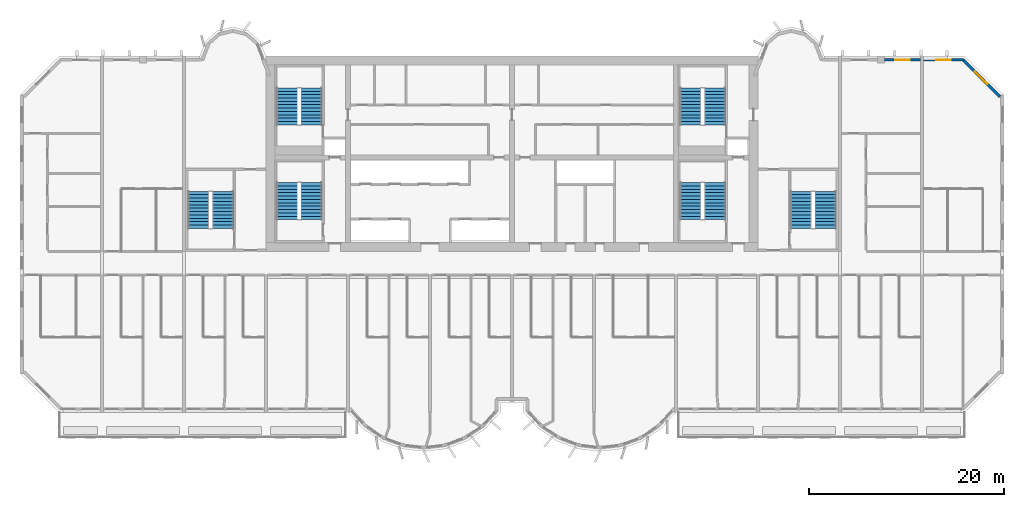
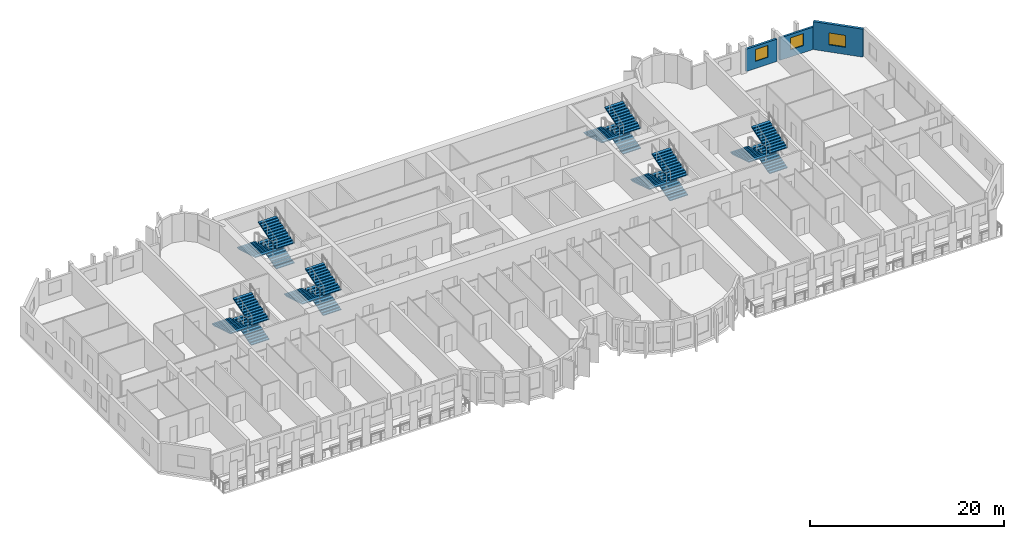
# One storey, part 11 of 14: 18 stair flights, 3 walls, 3 windows, 3 openings, 6 elements without a shape of their own.
"""IFC4 building model written with IfcOpenShell, lengths in metres."""

from ifc_helpers import new_model, si_unit, direction, frame, frame_2d, origin, place, context, subcontext, project, spatial, polyline, rectangle, outline, extrude, source, transform, mapped, material, layer, layer_set, type_object, element, fill, aggregate, save


model = new_model("IFC4")

# Units and contexts
model_context = context("Model", 3, precision=1e-05, world=origin(), true_north=direction((0.0, 1.0)))
body_context = subcontext(model_context, "Body", "Model", "MODEL_VIEW")
ifc_project = project(units=[si_unit("LENGTHUNIT", "METRE"), si_unit("AREAUNIT", "SQUARE_METRE"), si_unit("VOLUMEUNIT", "CUBIC_METRE"), si_unit("PLANEANGLEUNIT", "RADIAN"), si_unit("MASSUNIT", "GRAM", prefix="KILO")], contexts=[model_context])

# Site, building, storey
site_placement = place(None, origin())
site = spatial("IfcSite", under=ifc_project, at=site_placement, CompositionType="ELEMENT")
building_placement = place(site_placement, origin())
building = spatial("IfcBuilding", under=site, at=building_placement, Name="Vanashikhar Sky Hotel", CompositionType="ELEMENT")
storey_placement = place(building_placement, frame((0.0, 0.0, 129.39990234375)))
storey = spatial("IfcBuildingStorey", under=building, at=storey_placement, Name="L31", CompositionType="ELEMENT", Elevation=129.39990234375)

# Wall, opening, window
ifc_material_1 = material(Name="Concrete M50", Category="concrete")
ifc_layer_1 = layer(ifc_material_1, 0.300048828125)
ifc_layer_set_1 = layer_set([ifc_layer_1], Name="Lobe wall 300")
wall_type_1 = type_object("IfcWallType", Name="Lobe wall 300", PredefinedType="SOLIDWALL", material=ifc_layer_set_1)
shared_shape_1 = source(origin(), body_context, "Body", "SweptSolid", [
    extrude(rectangle(XDim=5.32568359375, YDim=0.300048828125, at=frame_2d((2.662841796875, 0.0))), origin(), (0.0, 0.0, 1.0), 3.52001953125),
])
wall_1_placement = place(storey_placement, frame((100.39990234375, 37.834228515625, 0.0), z_axis=(0.0, 0.0, 1.0), x_axis=(-0.707083859269, 0.707129702361, 0.0)))
wall_1 = element("IfcWall", 1, at=wall_1_placement, inside=storey, type_object=wall_type_1, Name="Corner wall", PredefinedType="SOLIDWALL", context=body_context, shape_type="MappedRepresentation", body=[
    mapped(shared_shape_1, transform((0.0, 0.0, 0.0), scale=1.0)),
])
shared_shape_2 = source(origin(), body_context, "Body", "SweptSolid", [
    extrude(rectangle(XDim=1.800048828125, YDim=1.5, at=frame_2d((0.89990234375, 0.75))), frame((0.0, 0.16015625, 0.0), z_axis=(0.0, -1.0, 0.0), x_axis=(1.0, 0.0, 0.0)), (0.0, 0.0, 1.0), 0.320068359375),
])
opening_1_placement = place(wall_1_placement, frame((1.853759765625, 0.0, 0.89990234375)))
opening_1 = element("IfcOpeningElement", 2, at=opening_1_placement, cuts=wall_1, Name="Opening WN-4", PredefinedType="OPENING", context=body_context, shape_type="MappedRepresentation", body=[
    mapped(shared_shape_2, transform((0.0, 0.0, 0.0), scale=1.0)),
])
ifc_material_2 = material(Name="Glass", Category="glass")
window_type_1 = type_object("IfcWindowType", Name="Corner window 1800 x 1500", PartitioningType="SINGLE_PANEL", PredefinedType="WINDOW", material=ifc_material_2)
shared_shape_3 = source(origin(), body_context, "Body", "SweptSolid", [
    extrude(rectangle(XDim=1.800048828125, YDim=1.5, at=frame_2d((0.89990234375, 0.75))), frame((0.0, 0.030029296875, 0.0), z_axis=(0.0, -1.0, 0.0), x_axis=(1.0, 0.0, 0.0)), (0.0, 0.0, 1.0), 0.06005859375),
])
window_1_placement = place(opening_1_placement, origin())
window_1 = element("IfcWindow", 3, at=window_1_placement, inside=storey, type_object=window_type_1, Name="Window WN-4", OverallHeight=1.5, OverallWidth=1.800048828125, PartitioningType="SINGLE_PANEL", PredefinedType="WINDOW", context=body_context, shape_type="MappedRepresentation", body=[
    mapped(shared_shape_3, transform((0.0, 0.0, 0.0), scale=1.0)),
])
fill(opening_1, window_1)

ifc_layer_2 = layer(ifc_material_1, 0.25)
ifc_layer_set_2 = layer_set([ifc_layer_2], Name="Rear and end board-marked wall 250")
wall_type_2 = type_object("IfcWallType", Name="Rear and end board-marked wall 250", PredefinedType="SOLIDWALL", material=ifc_layer_set_2)
shared_shape_4 = source(origin(), body_context, "Body", "SweptSolid", [
    extrude(rectangle(XDim=4.06982421875, YDim=0.25, at=frame_2d((2.034912109375, 0.0))), origin(), (0.0, 0.0, 1.0), 2.820068359375),
])
wall_2_placement = place(storey_placement, frame((96.644775390625, 41.625, 0.0), z_axis=(0.0, 0.0, 1.0), x_axis=(-1.0, 0.0, 0.0)))
wall_2 = element("IfcWall", 4, at=wall_2_placement, inside=storey, type_object=wall_type_2, Name="Rear board-marked wall", PredefinedType="SOLIDWALL", context=body_context, shape_type="MappedRepresentation", body=[
    mapped(shared_shape_4, transform((0.0, 0.0, 0.0), scale=1.0)),
])
shared_shape_5 = source(origin(), body_context, "Body", "SweptSolid", [
    extrude(rectangle(XDim=1.5, YDim=1.5, at=frame_2d((0.75, 0.75))), frame((0.0, 0.135009765625, 0.0), z_axis=(0.0, -1.0, 0.0), x_axis=(1.0, 0.0, 0.0)), (0.0, 0.0, 1.0), 0.27001953125),
])
opening_2_placement = place(wall_2_placement, frame((1.284912109375, 0.0, 0.89990234375)))
opening_2 = element("IfcOpeningElement", 5, at=opening_2_placement, cuts=wall_2, Name="Opening WN-1", PredefinedType="OPENING", context=body_context, shape_type="MappedRepresentation", body=[
    mapped(shared_shape_5, transform((0.0, 0.0, 0.0), scale=1.0)),
])
window_type_2 = type_object("IfcWindowType", Name="Window 1500 x 1500", PartitioningType="SINGLE_PANEL", PredefinedType="WINDOW", material=ifc_material_2)
shared_shape_6 = source(origin(), body_context, "Body", "SweptSolid", [
    extrude(rectangle(XDim=1.5, YDim=1.5, at=frame_2d((0.75, 0.75))), frame((0.0, 0.030029296875, 0.0), z_axis=(0.0, -1.0, 0.0), x_axis=(1.0, 0.0, 0.0)), (0.0, 0.0, 1.0), 0.06005859375),
])
window_2_placement = place(opening_2_placement, origin())
window_2 = element("IfcWindow", 6, at=window_2_placement, inside=storey, type_object=window_type_2, Name="Window WN-1", OverallHeight=1.5, OverallWidth=1.5, PartitioningType="SINGLE_PANEL", PredefinedType="WINDOW", context=body_context, shape_type="MappedRepresentation", body=[
    mapped(shared_shape_6, transform((0.0, 0.0, 0.0), scale=1.0)),
])
fill(opening_2, window_2)

shared_shape_7 = source(origin(), body_context, "Body", "SweptSolid", [
    extrude(rectangle(XDim=3.675048828125, YDim=0.25, at=frame_2d((1.83740234375, 0.0))), origin(), (0.0, 0.0, 1.0), 2.820068359375),
])
wall_3_placement = place(storey_placement, frame((92.22509765625, 41.625, 0.0), z_axis=(0.0, 0.0, 1.0), x_axis=(-1.0, 0.0, 0.0)))
wall_3 = element("IfcWall", 7, at=wall_3_placement, inside=storey, type_object=wall_type_2, Name="Rear board-marked wall", PredefinedType="SOLIDWALL", context=body_context, shape_type="MappedRepresentation", body=[
    mapped(shared_shape_7, transform((0.0, 0.0, 0.0), scale=1.0)),
])
opening_3_placement = place(wall_3_placement, frame((1.08740234375, 0.0, 0.89990234375)))
opening_3 = element("IfcOpeningElement", 8, at=opening_3_placement, cuts=wall_3, Name="Opening WN-1", PredefinedType="OPENING", context=body_context, shape_type="MappedRepresentation", body=[
    mapped(shared_shape_5, transform((0.0, 0.0, 0.0), scale=1.0)),
])
window_3_placement = place(opening_3_placement, origin())
window_3 = element("IfcWindow", 9, at=window_3_placement, inside=storey, type_object=window_type_2, Name="Window WN-1", OverallHeight=1.5, OverallWidth=1.5, PartitioningType="SINGLE_PANEL", PredefinedType="WINDOW", context=body_context, shape_type="MappedRepresentation", body=[
    mapped(shared_shape_6, transform((0.0, 0.0, 0.0), scale=1.0)),
])
fill(opening_3, window_3)

# Stair, stair flights
ifc_material_3 = material(Name="Concrete M40", Category="concrete")
stair_type = type_object("IfcStairType", Name="Exit stair 2150", PredefinedType="DOUBLE_RETURN_STAIR", material=ifc_material_3)
stair_1_placement = place(storey_placement, origin())
stair_1 = element("IfcStair", 10, at=stair_1_placement, inside=storey, type_object=stair_type, Name="L31 Exit stair 1", PredefinedType="DOUBLE_RETURN_STAIR")
stair_flight_type = type_object("IfcStairFlightType", Name="Stair flight 2150", PredefinedType="STRAIGHT", material=ifc_material_3)
shared_shape_8 = source(origin(), body_context, "Body", "SweptSolid", [
    extrude(outline(polyline([(0.0, 0.0), (0.0, 0.10546875), (0.345458984375, 0.10546875), (0.345458984375, 0.211181640625), (0.69091796875, 0.211181640625), (0.69091796875, 0.316650390625), (1.036376953125, 0.316650390625), (1.036376953125, 0.422119140625), (1.3818359375, 0.422119140625), (1.3818359375, 0.52783203125), (1.727294921875, 0.52783203125), (1.727294921875, 0.63330078125), (2.07275390625, 0.63330078125), (2.07275390625, 0.73876953125), (2.418212890625, 0.73876953125), (2.418212890625, 0.844482421875), (2.763671875, 0.844482421875), (2.763671875, 0.949951171875), (3.109130859375, 0.949951171875), (3.109130859375, 1.0556640625), (3.45458984375, 1.0556640625), (3.45458984375, 1.1611328125), (3.800048828125, 1.1611328125), (3.800048828125, 1.2666015625), (3.800048828125, 1.035400390625), (0.4111328125, 0.0), (0.0, 0.0)])), frame((0.0, 1.074951171875, 0.0), z_axis=(0.0, -1.0, 0.0), x_axis=(1.0, 0.0, 0.0)), (0.0, 0.0, 1.0), 2.14990234375),
])
stair_flight_1_placement = place(storey_placement, frame((29.875, 25.25, 0.0), z_axis=(0.0, 0.0, 1.0), x_axis=(0.0, 1.0, 0.0)))
stair_flight_1 = element("IfcStairFlight", 11, at=stair_flight_1_placement, type_object=stair_flight_type, Name="ST-C1 flight 1", NumberOfRisers=12, NumberOfTreads=11, PredefinedType="STRAIGHT", RiserHeight=0.105555556, TreadLength=0.345454545, context=body_context, shape_type="MappedRepresentation", body=[
    mapped(shared_shape_8, transform((0.0, 0.0, 0.0), scale=1.0)),
])
stair_flight_2_placement = place(storey_placement, frame((27.375, 29.050048828125, 1.266845703125), z_axis=(0.0, 0.0, 1.0), x_axis=(0.0, -1.0, 0.0)))
stair_flight_2 = element("IfcStairFlight", 12, at=stair_flight_2_placement, type_object=stair_flight_type, Name="ST-C1 flight 2", NumberOfRisers=12, NumberOfTreads=11, PredefinedType="STRAIGHT", RiserHeight=0.105555556, TreadLength=0.345454545, context=body_context, shape_type="MappedRepresentation", body=[
    mapped(shared_shape_8, transform((0.0, 0.0, 0.0), scale=1.0)),
])
stair_flight_3_placement = place(storey_placement, frame((29.875, 25.25, 2.533447265625), z_axis=(0.0, 0.0, 1.0), x_axis=(0.0, 1.0, 0.0)))
stair_flight_3 = element("IfcStairFlight", 13, at=stair_flight_3_placement, type_object=stair_flight_type, Name="ST-C1 flight 3", NumberOfRisers=12, NumberOfTreads=11, PredefinedType="STRAIGHT", RiserHeight=0.105555556, TreadLength=0.345454545, context=body_context, shape_type="MappedRepresentation", body=[
    mapped(shared_shape_8, transform((0.0, 0.0, 0.0), scale=1.0)),
])
aggregate(stair_1, [stair_flight_1, stair_flight_2, stair_flight_3])

stair_2_placement = place(storey_placement, origin())
stair_2 = element("IfcStair", 14, at=stair_2_placement, inside=storey, type_object=stair_type, Name="L31 Exit stair 2", PredefinedType="DOUBLE_RETURN_STAIR")
stair_flight_4_placement = place(storey_placement, frame((71.175048828125, 25.25, 0.0), z_axis=(0.0, 0.0, 1.0), x_axis=(0.0, 1.0, 0.0)))
stair_flight_4 = element("IfcStairFlight", 15, at=stair_flight_4_placement, type_object=stair_flight_type, Name="ST-C2 flight 1", NumberOfRisers=12, NumberOfTreads=11, PredefinedType="STRAIGHT", RiserHeight=0.105555556, TreadLength=0.345454545, context=body_context, shape_type="MappedRepresentation", body=[
    mapped(shared_shape_8, transform((0.0, 0.0, 0.0), scale=1.0)),
])
stair_flight_5_placement = place(storey_placement, frame((68.675048828125, 29.050048828125, 1.266845703125), z_axis=(0.0, 0.0, 1.0), x_axis=(0.0, -1.0, 0.0)))
stair_flight_5 = element("IfcStairFlight", 16, at=stair_flight_5_placement, type_object=stair_flight_type, Name="ST-C2 flight 2", NumberOfRisers=12, NumberOfTreads=11, PredefinedType="STRAIGHT", RiserHeight=0.105555556, TreadLength=0.345454545, context=body_context, shape_type="MappedRepresentation", body=[
    mapped(shared_shape_8, transform((0.0, 0.0, 0.0), scale=1.0)),
])
stair_flight_6_placement = place(storey_placement, frame((71.175048828125, 25.25, 2.533447265625), z_axis=(0.0, 0.0, 1.0), x_axis=(0.0, 1.0, 0.0)))
stair_flight_6 = element("IfcStairFlight", 17, at=stair_flight_6_placement, type_object=stair_flight_type, Name="ST-C2 flight 3", NumberOfRisers=12, NumberOfTreads=11, PredefinedType="STRAIGHT", RiserHeight=0.105555556, TreadLength=0.345454545, context=body_context, shape_type="MappedRepresentation", body=[
    mapped(shared_shape_8, transform((0.0, 0.0, 0.0), scale=1.0)),
])
aggregate(stair_2, [stair_flight_4, stair_flight_5, stair_flight_6])

stair_3_placement = place(storey_placement, origin())
stair_3 = element("IfcStair", 18, at=stair_3_placement, inside=storey, type_object=stair_type, Name="L31 Exit stair 3", PredefinedType="DOUBLE_RETURN_STAIR")
stair_flight_7_placement = place(storey_placement, frame((20.77490234375, 24.35009765625, 0.0), z_axis=(0.0, 0.0, 1.0), x_axis=(0.0, 1.0, 0.0)))
stair_flight_7 = element("IfcStairFlight", 19, at=stair_flight_7_placement, type_object=stair_flight_type, Name="ST-W flight 1", NumberOfRisers=12, NumberOfTreads=11, PredefinedType="STRAIGHT", RiserHeight=0.105555556, TreadLength=0.345454545, context=body_context, shape_type="MappedRepresentation", body=[
    mapped(shared_shape_8, transform((0.0, 0.0, 0.0), scale=1.0)),
])
stair_flight_8_placement = place(storey_placement, frame((18.27490234375, 28.14990234375, 1.266845703125), z_axis=(0.0, 0.0, 1.0), x_axis=(0.0, -1.0, 0.0)))
stair_flight_8 = element("IfcStairFlight", 20, at=stair_flight_8_placement, type_object=stair_flight_type, Name="ST-W flight 2", NumberOfRisers=12, NumberOfTreads=11, PredefinedType="STRAIGHT", RiserHeight=0.105555556, TreadLength=0.345454545, context=body_context, shape_type="MappedRepresentation", body=[
    mapped(shared_shape_8, transform((0.0, 0.0, 0.0), scale=1.0)),
])
stair_flight_9_placement = place(storey_placement, frame((20.77490234375, 24.35009765625, 2.533447265625), z_axis=(0.0, 0.0, 1.0), x_axis=(0.0, 1.0, 0.0)))
stair_flight_9 = element("IfcStairFlight", 21, at=stair_flight_9_placement, type_object=stair_flight_type, Name="ST-W flight 3", NumberOfRisers=12, NumberOfTreads=11, PredefinedType="STRAIGHT", RiserHeight=0.105555556, TreadLength=0.345454545, context=body_context, shape_type="MappedRepresentation", body=[
    mapped(shared_shape_8, transform((0.0, 0.0, 0.0), scale=1.0)),
])
aggregate(stair_3, [stair_flight_7, stair_flight_8, stair_flight_9])

stair_4_placement = place(storey_placement, origin())
stair_4 = element("IfcStair", 22, at=stair_4_placement, inside=storey, type_object=stair_type, Name="L31 Exit stair 4", PredefinedType="DOUBLE_RETURN_STAIR")
stair_flight_10_placement = place(storey_placement, frame((82.52490234375, 24.35009765625, 0.0), z_axis=(0.0, 0.0, 1.0), x_axis=(0.0, 1.0, 0.0)))
stair_flight_10 = element("IfcStairFlight", 23, at=stair_flight_10_placement, type_object=stair_flight_type, Name="ST-E flight 1", NumberOfRisers=12, NumberOfTreads=11, PredefinedType="STRAIGHT", RiserHeight=0.105555556, TreadLength=0.345454545, context=body_context, shape_type="MappedRepresentation", body=[
    mapped(shared_shape_8, transform((0.0, 0.0, 0.0), scale=1.0)),
])
stair_flight_11_placement = place(storey_placement, frame((80.02490234375, 28.14990234375, 1.266845703125), z_axis=(0.0, 0.0, 1.0), x_axis=(0.0, -1.0, 0.0)))
stair_flight_11 = element("IfcStairFlight", 24, at=stair_flight_11_placement, type_object=stair_flight_type, Name="ST-E flight 2", NumberOfRisers=12, NumberOfTreads=11, PredefinedType="STRAIGHT", RiserHeight=0.105555556, TreadLength=0.345454545, context=body_context, shape_type="MappedRepresentation", body=[
    mapped(shared_shape_8, transform((0.0, 0.0, 0.0), scale=1.0)),
])
stair_flight_12_placement = place(storey_placement, frame((82.52490234375, 24.35009765625, 2.533447265625), z_axis=(0.0, 0.0, 1.0), x_axis=(0.0, 1.0, 0.0)))
stair_flight_12 = element("IfcStairFlight", 25, at=stair_flight_12_placement, type_object=stair_flight_type, Name="ST-E flight 3", NumberOfRisers=12, NumberOfTreads=11, PredefinedType="STRAIGHT", RiserHeight=0.105555556, TreadLength=0.345454545, context=body_context, shape_type="MappedRepresentation", body=[
    mapped(shared_shape_8, transform((0.0, 0.0, 0.0), scale=1.0)),
])
aggregate(stair_4, [stair_flight_10, stair_flight_11, stair_flight_12])

stair_5_placement = place(storey_placement, origin())
stair_5 = element("IfcStair", 26, at=stair_5_placement, inside=storey, type_object=stair_type, Name="L31 Exit stair 5", PredefinedType="DOUBLE_RETURN_STAIR")
stair_flight_13_placement = place(storey_placement, frame((29.875, 34.949951171875, 0.0), z_axis=(0.0, 0.0, 1.0), x_axis=(0.0, 1.0, 0.0)))
stair_flight_13 = element("IfcStairFlight", 27, at=stair_flight_13_placement, type_object=stair_flight_type, Name="ST-C3 flight 1", NumberOfRisers=12, NumberOfTreads=11, PredefinedType="STRAIGHT", RiserHeight=0.105555556, TreadLength=0.345454545, context=body_context, shape_type="MappedRepresentation", body=[
    mapped(shared_shape_8, transform((0.0, 0.0, 0.0), scale=1.0)),
])
stair_flight_14_placement = place(storey_placement, frame((27.375, 38.75, 1.266845703125), z_axis=(0.0, 0.0, 1.0), x_axis=(0.0, -1.0, 0.0)))
stair_flight_14 = element("IfcStairFlight", 28, at=stair_flight_14_placement, type_object=stair_flight_type, Name="ST-C3 flight 2", NumberOfRisers=12, NumberOfTreads=11, PredefinedType="STRAIGHT", RiserHeight=0.105555556, TreadLength=0.345454545, context=body_context, shape_type="MappedRepresentation", body=[
    mapped(shared_shape_8, transform((0.0, 0.0, 0.0), scale=1.0)),
])
stair_flight_15_placement = place(storey_placement, frame((29.875, 34.949951171875, 2.533447265625), z_axis=(0.0, 0.0, 1.0), x_axis=(0.0, 1.0, 0.0)))
stair_flight_15 = element("IfcStairFlight", 29, at=stair_flight_15_placement, type_object=stair_flight_type, Name="ST-C3 flight 3", NumberOfRisers=12, NumberOfTreads=11, PredefinedType="STRAIGHT", RiserHeight=0.105555556, TreadLength=0.345454545, context=body_context, shape_type="MappedRepresentation", body=[
    mapped(shared_shape_8, transform((0.0, 0.0, 0.0), scale=1.0)),
])
aggregate(stair_5, [stair_flight_13, stair_flight_14, stair_flight_15])

stair_6_placement = place(storey_placement, origin())
stair_6 = element("IfcStair", 30, at=stair_6_placement, inside=storey, type_object=stair_type, Name="L31 Exit stair 6", PredefinedType="DOUBLE_RETURN_STAIR")
stair_flight_16_placement = place(storey_placement, frame((71.175048828125, 34.949951171875, 0.0), z_axis=(0.0, 0.0, 1.0), x_axis=(0.0, 1.0, 0.0)))
stair_flight_16 = element("IfcStairFlight", 31, at=stair_flight_16_placement, type_object=stair_flight_type, Name="ST-C4 flight 1", NumberOfRisers=12, NumberOfTreads=11, PredefinedType="STRAIGHT", RiserHeight=0.105555556, TreadLength=0.345454545, context=body_context, shape_type="MappedRepresentation", body=[
    mapped(shared_shape_8, transform((0.0, 0.0, 0.0), scale=1.0)),
])
stair_flight_17_placement = place(storey_placement, frame((68.675048828125, 38.75, 1.266845703125), z_axis=(0.0, 0.0, 1.0), x_axis=(0.0, -1.0, 0.0)))
stair_flight_17 = element("IfcStairFlight", 32, at=stair_flight_17_placement, type_object=stair_flight_type, Name="ST-C4 flight 2", NumberOfRisers=12, NumberOfTreads=11, PredefinedType="STRAIGHT", RiserHeight=0.105555556, TreadLength=0.345454545, context=body_context, shape_type="MappedRepresentation", body=[
    mapped(shared_shape_8, transform((0.0, 0.0, 0.0), scale=1.0)),
])
stair_flight_18_placement = place(storey_placement, frame((71.175048828125, 34.949951171875, 2.533447265625), z_axis=(0.0, 0.0, 1.0), x_axis=(0.0, 1.0, 0.0)))
stair_flight_18 = element("IfcStairFlight", 33, at=stair_flight_18_placement, type_object=stair_flight_type, Name="ST-C4 flight 3", NumberOfRisers=12, NumberOfTreads=11, PredefinedType="STRAIGHT", RiserHeight=0.105555556, TreadLength=0.345454545, context=body_context, shape_type="MappedRepresentation", body=[
    mapped(shared_shape_8, transform((0.0, 0.0, 0.0), scale=1.0)),
])
aggregate(stair_6, [stair_flight_16, stair_flight_17, stair_flight_18])

save(model, "model.ifc")
